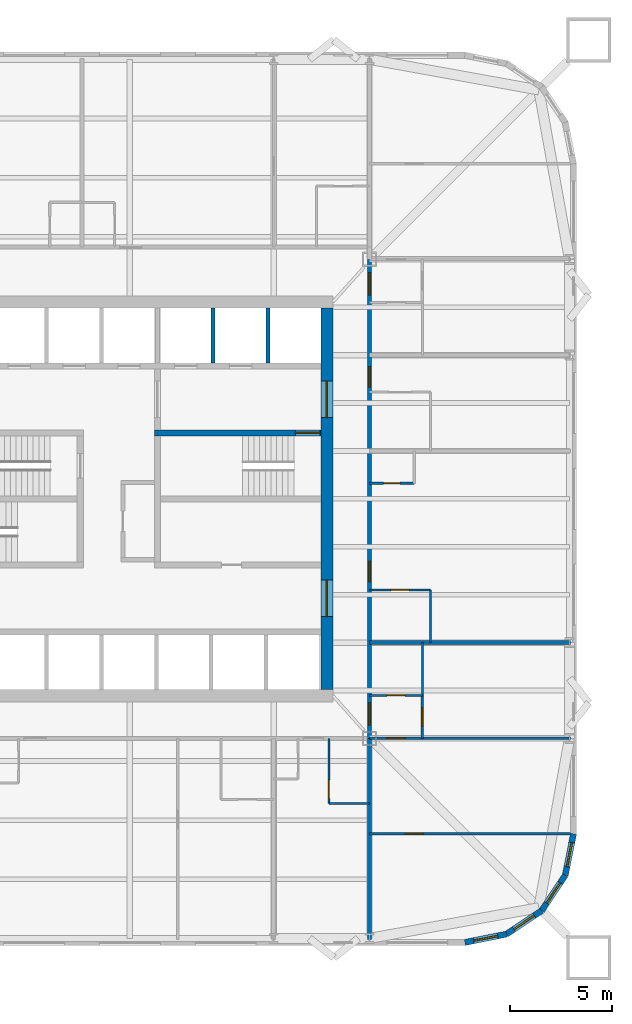
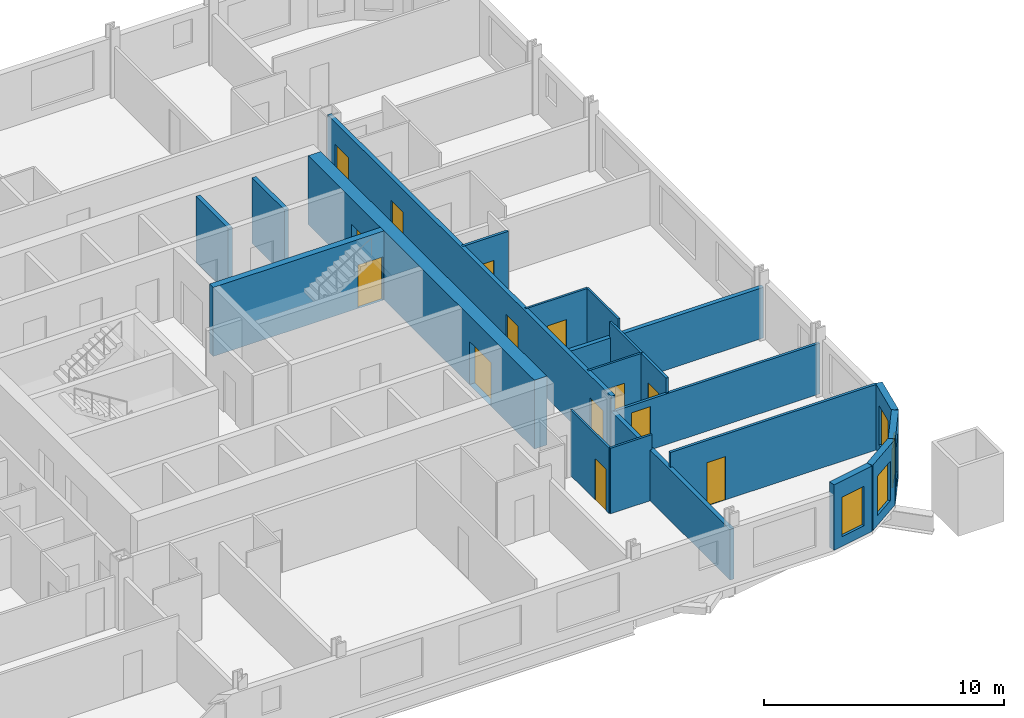
# One storey, part 5 of 9: 21 walls, 14 doors, 4 windows, 18 openings.
"""IFC4 building model written with IfcOpenShell, lengths in metres."""

from ifc_helpers import new_model, si_unit, direction, frame, frame_2d, origin, place, context, subcontext, project, spatial, rectangle, extrude, material, layer, layer_set, type_object, element, fill, save


model = new_model("IFC4")

# Units and contexts
model_context = context("Model", 3, precision=1e-05, world=origin(), true_north=direction((0.0, 1.0)))
body_context = subcontext(model_context, "Body", "Model", "MODEL_VIEW")
ifc_project = project(units=[si_unit("LENGTHUNIT", "METRE"), si_unit("AREAUNIT", "SQUARE_METRE"), si_unit("VOLUMEUNIT", "CUBIC_METRE"), si_unit("PLANEANGLEUNIT", "RADIAN"), si_unit("MASSUNIT", "GRAM", prefix="KILO")], contexts=[model_context])

# Site, building, storey
site_placement = place(None, origin())
site = spatial("IfcSite", under=ifc_project, at=site_placement, CompositionType="ELEMENT")
building_placement = place(site_placement, origin())
building = spatial("IfcBuilding", under=site, at=building_placement, Name="Turquesa Mirador Hotel Tower", CompositionType="ELEMENT")
storey_placement = place(building_placement, frame((0.0, 0.0, 42.5)))
storey = spatial("IfcBuildingStorey", under=building, at=storey_placement, Name="L10", CompositionType="ELEMENT", Elevation=42.5)

# Wall
ifc_material_1 = material(Name="Gypsum board on steel studs", Category="steel")
ifc_layer_1 = layer(ifc_material_1, 0.10009765625)
ifc_layer_set_1 = layer_set([ifc_layer_1], Name="BATHROOM WALL 100")
wall_type_1 = type_object("IfcWallType", Name="BATHROOM WALL 100", PredefinedType="PARTITIONING", material=ifc_layer_set_1)
wall_1_placement = place(storey_placement, frame((64.800048828125, 30.0, 0.0), z_axis=(0.0, 0.0, 1.0), x_axis=(1.0, 0.0, 0.0)))
element("IfcWall", 1, at=wall_1_placement, inside=storey, type_object=wall_type_1, Name="Partition L10 008", PredefinedType="PARTITIONING", context=body_context, shape_type="SweptSolid", body=[
    extrude(rectangle(XDim=2.0, YDim=0.10009765625, at=frame_2d((1.0, 0.0))), origin(), (0.0, 0.0, 1.0), 3.330078125),
])

# Wall, opening, door
wall_2_placement = place(storey_placement, frame((66.800048828125, 40.52001953125, 0.0), z_axis=(0.0, 0.0, 1.0), x_axis=(1.0, 0.0, 0.0)))
wall_2 = element("IfcWall", 2, at=wall_2_placement, inside=storey, type_object=wall_type_1, Name="Partition L10 012", PredefinedType="PARTITIONING", context=body_context, shape_type="SweptSolid", body=[
    extrude(rectangle(XDim=3.0, YDim=0.10009765625, at=frame_2d((1.5, 0.0))), origin(), (0.0, 0.0, 1.0), 3.330078125),
])
opening_1_placement = place(wall_2_placement, frame((1.050048828125, 0.0, 0.0)))
opening_1 = element("IfcOpeningElement", 3, at=opening_1_placement, cuts=wall_2, Name="Opening D02", PredefinedType="OPENING", context=body_context, shape_type="SweptSolid", body=[
    extrude(rectangle(XDim=0.89990234375, YDim=2.10009765625, at=frame_2d((0.449951171875, 1.050048828125))), frame((0.0, 0.06005859375, 0.0), z_axis=(0.0, -1.0, 0.0), x_axis=(1.0, 0.0, 0.0)), (0.0, 0.0, 1.0), 0.1201171875),
])
ifc_material_2 = material(Name="Timber veneered door", Category="wood")
door_type_1 = type_object("IfcDoorType", Name="DOOR 900X2100 EN-SUITE", OperationType="SINGLE_SWING_RIGHT", PredefinedType="DOOR", material=ifc_material_2)
door_1_placement = place(opening_1_placement, origin())
door_1 = element("IfcDoor", 4, at=door_1_placement, inside=storey, type_object=door_type_1, Name="Door 1006B", OperationType="SINGLE_SWING_RIGHT", OverallHeight=2.10009765625, OverallWidth=0.89990234375, PredefinedType="DOOR", context=body_context, shape_type="SweptSolid", body=[
    extrude(rectangle(XDim=0.89990234375, YDim=2.10009765625, at=frame_2d((0.449951171875, 1.050048828125))), frame((0.0, 0.02490234375, 0.0), z_axis=(0.0, -1.0, 0.0), x_axis=(1.0, 0.0, 0.0)), (0.0, 0.0, 1.0), 0.050048828125),
])
fill(opening_1, door_1)

wall_3_placement = place(storey_placement, frame((66.800048828125, 35.320068359375, 0.0), z_axis=(0.0, 0.0, 1.0), x_axis=(1.0, 0.0, 0.0)))
wall_3 = element("IfcWall", 5, at=wall_3_placement, inside=storey, type_object=wall_type_1, Name="Partition L10 017", PredefinedType="PARTITIONING", context=body_context, shape_type="SweptSolid", body=[
    extrude(rectangle(XDim=2.599853515625, YDim=0.10009765625, at=frame_2d((1.2998046875, 0.0))), origin(), (0.0, 0.0, 1.0), 3.330078125),
])
opening_2_placement = place(wall_3_placement, frame((0.85009765625, 0.0, 0.0)))
opening_2 = element("IfcOpeningElement", 6, at=opening_2_placement, cuts=wall_3, Name="Opening D02", PredefinedType="OPENING", context=body_context, shape_type="SweptSolid", body=[
    extrude(rectangle(XDim=0.89990234375, YDim=2.10009765625, at=frame_2d((0.449951171875, 1.050048828125))), frame((0.0, 0.06005859375, 0.0), z_axis=(0.0, -1.0, 0.0), x_axis=(1.0, 0.0, 0.0)), (0.0, 0.0, 1.0), 0.1201171875),
])
door_2_placement = place(opening_2_placement, origin())
door_2 = element("IfcDoor", 7, at=door_2_placement, inside=storey, type_object=door_type_1, Name="Door 1013B", OperationType="SINGLE_SWING_RIGHT", OverallHeight=2.10009765625, OverallWidth=0.89990234375, PredefinedType="DOOR", context=body_context, shape_type="SweptSolid", body=[
    extrude(rectangle(XDim=0.89990234375, YDim=2.10009765625, at=frame_2d((0.449951171875, 1.050048828125))), frame((0.0, 0.02490234375, 0.0), z_axis=(0.0, -1.0, 0.0), x_axis=(1.0, 0.0, 0.0)), (0.0, 0.0, 1.0), 0.050048828125),
])
fill(opening_2, door_2)

# Walls
wall_4_placement = place(storey_placement, frame((69.39990234375, 35.320068359375, 0.0), z_axis=(0.0, 0.0, 1.0), x_axis=(0.0, 1.0, 0.0)))
element("IfcWall", 8, at=wall_4_placement, inside=storey, type_object=wall_type_1, Name="Partition L10 056", PredefinedType="PARTITIONING", context=body_context, shape_type="SweptSolid", body=[
    extrude(rectangle(XDim=2.599853515625, YDim=0.10009765625, at=frame_2d((1.2998046875, 0.0))), origin(), (0.0, 0.0, 1.0), 3.330078125),
])
wall_5_placement = place(storey_placement, frame((69.800048828125, 37.919921875, 0.0), z_axis=(0.0, 0.0, 1.0), x_axis=(0.0, 1.0, 0.0)))
element("IfcWall", 9, at=wall_5_placement, inside=storey, type_object=wall_type_1, Name="Partition L10 060", PredefinedType="PARTITIONING", context=body_context, shape_type="SweptSolid", body=[
    extrude(rectangle(XDim=2.60009765625, YDim=0.10009765625, at=frame_2d((1.300048828125, 0.0))), origin(), (0.0, 0.0, 1.0), 3.330078125),
])

# Wall, opening, door
wall_6_placement = place(storey_placement, frame((64.800048828125, 30.0, 0.0), z_axis=(0.0, 0.0, 1.0), x_axis=(0.0, 1.0, 0.0)))
wall_6 = element("IfcWall", 10, at=wall_6_placement, inside=storey, type_object=wall_type_1, Name="Partition L10 068", PredefinedType="PARTITIONING", context=body_context, shape_type="SweptSolid", body=[
    extrude(rectangle(XDim=3.199951171875, YDim=0.10009765625, at=frame_2d((1.60009765625, 0.0))), origin(), (0.0, 0.0, 1.0), 3.330078125),
])
opening_3_placement = place(wall_6_placement, frame((0.25, 0.0, 0.0)))
opening_3 = element("IfcOpeningElement", 11, at=opening_3_placement, cuts=wall_6, Name="Opening D02", PredefinedType="OPENING", context=body_context, shape_type="SweptSolid", body=[
    extrude(rectangle(XDim=0.89990234375, YDim=2.10009765625, at=frame_2d((0.449951171875, 1.050048828125))), frame((0.0, 0.06005859375, 0.0), z_axis=(0.0, -1.0, 0.0), x_axis=(1.0, 0.0, 0.0)), (0.0, 0.0, 1.0), 0.1201171875),
])
door_3_placement = place(opening_3_placement, origin())
door_3 = element("IfcDoor", 12, at=door_3_placement, inside=storey, type_object=door_type_1, Name="Door 1005B", OperationType="SINGLE_SWING_RIGHT", OverallHeight=2.10009765625, OverallWidth=0.89990234375, PredefinedType="DOOR", context=body_context, shape_type="SweptSolid", body=[
    extrude(rectangle(XDim=0.89990234375, YDim=2.10009765625, at=frame_2d((0.449951171875, 1.050048828125))), frame((0.0, 0.02490234375, 0.0), z_axis=(0.0, -1.0, 0.0), x_axis=(1.0, 0.0, 0.0)), (0.0, 0.0, 1.0), 0.050048828125),
])
fill(opening_3, door_3)

ifc_material_3 = material(Name="Concrete C50/60", Category="concrete")
ifc_layer_2 = layer(ifc_material_3, 0.300048828125)
ifc_layer_set_2 = layer_set([ifc_layer_2], Name="CORE INNER WALL 300")
wall_type_2 = type_object("IfcWallType", Name="CORE INNER WALL 300", PredefinedType="SHEAR", material=ifc_layer_set_2)
wall_7_placement = place(storey_placement, frame((56.199951171875, 48.25, 0.0), z_axis=(0.0, 0.0, 1.0), x_axis=(1.0, 0.0, 0.0)))
wall_7 = element("IfcWall", 13, at=wall_7_placement, inside=storey, type_object=wall_type_2, Name="Core wall MN-E", PredefinedType="SHEAR", context=body_context, shape_type="SweptSolid", body=[
    extrude(rectangle(XDim=8.199951171875, YDim=0.300048828125, at=frame_2d((4.10009765625, 0.0))), origin(), (0.0, 0.0, 1.0), 3.5),
])
opening_4_placement = place(wall_7_placement, frame((6.949951171875, 0.0, 0.0)))
opening_4 = element("IfcOpeningElement", 14, at=opening_4_placement, cuts=wall_7, Name="Opening D03", PredefinedType="OPENING", context=body_context, shape_type="SweptSolid", body=[
    extrude(rectangle(XDim=1.199951171875, YDim=2.199951171875, at=frame_2d((0.60009765625, 1.10009765625))), frame((0.0, 0.159912109375, 0.0), z_axis=(0.0, -1.0, 0.0), x_axis=(1.0, 0.0, 0.0)), (0.0, 0.0, 1.0), 0.320068359375),
])
ifc_material_4 = material(Name="Steel fire door", Category="steel")
door_type_2 = type_object("IfcDoorType", Name="DOOR 1200X2200 STAIR", OperationType="SINGLE_SWING_LEFT", PredefinedType="DOOR", material=ifc_material_4)
door_4_placement = place(opening_4_placement, origin())
door_4 = element("IfcDoor", 15, at=door_4_placement, inside=storey, type_object=door_type_2, Name="Stair ST3 door", OperationType="SINGLE_SWING_LEFT", OverallHeight=2.199951171875, OverallWidth=1.199951171875, PredefinedType="DOOR", context=body_context, shape_type="SweptSolid", body=[
    extrude(rectangle(XDim=1.199951171875, YDim=2.199951171875, at=frame_2d((0.60009765625, 1.10009765625))), frame((0.0, 0.02490234375, 0.0), z_axis=(0.0, -1.0, 0.0), x_axis=(1.0, 0.0, 0.0)), (0.0, 0.0, 1.0), 0.050048828125),
])
fill(opening_4, door_4)

# Wall, openings, doors
ifc_material_5 = material(Name="Concrete C50/60", Category="concrete")
ifc_layer_3 = layer(ifc_material_5, 0.60009765625)
ifc_layer_set_3 = layer_set([ifc_layer_3], Name="CORE WALL 600")
wall_type_3 = type_object("IfcWallType", Name="CORE WALL 600", PredefinedType="SHEAR", material=ifc_layer_set_3)
wall_8_placement = place(storey_placement, frame((64.699951171875, 35.60009765625, 0.0), z_axis=(0.0, 0.0, 1.0), x_axis=(0.0, 1.0, 0.0)))
wall_8 = element("IfcWall", 16, at=wall_8_placement, inside=storey, type_object=wall_type_3, Name="Core wall E", PredefinedType="SHEAR", context=body_context, shape_type="SweptSolid", body=[
    extrude(rectangle(XDim=18.7998046875, YDim=0.60009765625, at=frame_2d((9.39990234375, 0.0))), origin(), (0.0, 0.0, 1.0), 3.5),
])
opening_5_placement = place(wall_8_placement, frame((13.39990234375, 0.0, 0.0)))
opening_5 = element("IfcOpeningElement", 17, at=opening_5_placement, cuts=wall_8, Name="Opening D04", PredefinedType="OPENING", context=body_context, shape_type="SweptSolid", body=[
    extrude(rectangle(XDim=1.800048828125, YDim=2.199951171875, at=frame_2d((0.89990234375, 1.10009765625))), frame((0.0, 0.31005859375, 0.0), z_axis=(0.0, -1.0, 0.0), x_axis=(1.0, 0.0, 0.0)), (0.0, 0.0, 1.0), 0.6201171875),
])
opening_6_placement = place(wall_8_placement, frame((3.60009765625, 0.0, 0.0)))
opening_6 = element("IfcOpeningElement", 18, at=opening_6_placement, cuts=wall_8, Name="Opening D04", PredefinedType="OPENING", context=body_context, shape_type="SweptSolid", body=[
    extrude(rectangle(XDim=1.800048828125, YDim=2.199951171875, at=frame_2d((0.89990234375, 1.10009765625))), frame((0.0, 0.31005859375, 0.0), z_axis=(0.0, -1.0, 0.0), x_axis=(1.0, 0.0, 0.0)), (0.0, 0.0, 1.0), 0.6201171875),
])
ifc_material_6 = material(Name="Steel fire door pair", Category="steel")
door_type_3 = type_object("IfcDoorType", Name="DOOR 1800X2200 PAIR", OperationType="DOUBLE_DOOR_SINGLE_SWING", PredefinedType="DOOR", material=ifc_material_6)
door_5_placement = place(opening_5_placement, origin())
door_5 = element("IfcDoor", 19, at=door_5_placement, inside=storey, type_object=door_type_3, Name="Firefighting lobby door", OperationType="DOUBLE_DOOR_SINGLE_SWING", OverallHeight=2.199951171875, OverallWidth=1.800048828125, PredefinedType="DOOR", context=body_context, shape_type="SweptSolid", body=[
    extrude(rectangle(XDim=1.800048828125, YDim=2.199951171875, at=frame_2d((0.89990234375, 1.10009765625))), frame((0.0, 0.02490234375, 0.0), z_axis=(0.0, -1.0, 0.0), x_axis=(1.0, 0.0, 0.0)), (0.0, 0.0, 1.0), 0.050048828125),
])
fill(opening_5, door_5)
door_6_placement = place(opening_6_placement, origin())
door_6 = element("IfcDoor", 20, at=door_6_placement, inside=storey, type_object=door_type_3, Name="South lift lobby door", OperationType="DOUBLE_DOOR_SINGLE_SWING", OverallHeight=2.199951171875, OverallWidth=1.800048828125, PredefinedType="DOOR", context=body_context, shape_type="SweptSolid", body=[
    extrude(rectangle(XDim=1.800048828125, YDim=2.199951171875, at=frame_2d((0.89990234375, 1.10009765625))), frame((0.0, 0.02490234375, 0.0), z_axis=(0.0, -1.0, 0.0), x_axis=(1.0, 0.0, 0.0)), (0.0, 0.0, 1.0), 0.050048828125),
])
fill(opening_6, door_6)

ifc_material_7 = material(Name="Fire-rated gypsum board on steel studs", Category="steel")
ifc_layer_4 = layer(ifc_material_7, 0.199951171875)
ifc_layer_set_4 = layer_set([ifc_layer_4], Name="CORRIDOR WALL 200")
wall_type_4 = type_object("IfcWallType", Name="CORRIDOR WALL 200", PredefinedType="PARTITIONING", material=ifc_layer_set_4)
wall_9_placement = place(storey_placement, frame((66.800048828125, 33.199951171875, 0.0), z_axis=(0.0, 0.0, 1.0), x_axis=(0.0, 1.0, 0.0)))
wall_9 = element("IfcWall", 21, at=wall_9_placement, inside=storey, type_object=wall_type_4, Name="Partition L10 052", PredefinedType="PARTITIONING", context=body_context, shape_type="SweptSolid", body=[
    extrude(rectangle(XDim=23.580078125, YDim=0.199951171875, at=frame_2d((11.7900390625, 0.0))), origin(), (0.0, 0.0, 1.0), 3.330078125),
])
opening_7_placement = place(wall_9_placement, frame((7.719970703125, 0.0, 0.0)))
opening_7 = element("IfcOpeningElement", 22, at=opening_7_placement, cuts=wall_9, Name="Opening D01", PredefinedType="OPENING", context=body_context, shape_type="SweptSolid", body=[
    extrude(rectangle(XDim=1.0, YDim=2.199951171875, at=frame_2d((0.5, 1.10009765625))), frame((0.0, 0.10986328125, 0.0), z_axis=(0.0, -1.0, 0.0), x_axis=(1.0, 0.0, 0.0)), (0.0, 0.0, 1.0), 0.219970703125),
])
opening_8_placement = place(wall_9_placement, frame((17.31005859375, 0.0, 0.0)))
opening_8 = element("IfcOpeningElement", 23, at=opening_8_placement, cuts=wall_9, Name="Opening D01", PredefinedType="OPENING", context=body_context, shape_type="SweptSolid", body=[
    extrude(rectangle(XDim=1.0, YDim=2.199951171875, at=frame_2d((0.5, 1.10009765625))), frame((0.0, 0.10986328125, 0.0), z_axis=(0.0, -1.0, 0.0), x_axis=(1.0, 0.0, 0.0)), (0.0, 0.0, 1.0), 0.219970703125),
])
opening_9_placement = place(wall_9_placement, frame((21.840087890625, 0.0, 0.0)))
opening_9 = element("IfcOpeningElement", 24, at=opening_9_placement, cuts=wall_9, Name="Opening D15", PredefinedType="OPENING", context=body_context, shape_type="SweptSolid", body=[
    extrude(rectangle(XDim=1.10009765625, YDim=2.199951171875, at=frame_2d((0.550048828125, 1.10009765625))), frame((0.0, 0.10986328125, 0.0), z_axis=(0.0, -1.0, 0.0), x_axis=(1.0, 0.0, 0.0)), (0.0, 0.0, 1.0), 0.219970703125),
])
opening_10_placement = place(wall_9_placement, frame((0.659912109375, 0.0, 0.0)))
opening_10 = element("IfcOpeningElement", 25, at=opening_10_placement, cuts=wall_9, Name="Opening D15", PredefinedType="OPENING", context=body_context, shape_type="SweptSolid", body=[
    extrude(rectangle(XDim=1.10009765625, YDim=2.199951171875, at=frame_2d((0.550048828125, 1.10009765625))), frame((0.0, 0.10986328125, 0.0), z_axis=(0.0, -1.0, 0.0), x_axis=(1.0, 0.0, 0.0)), (0.0, 0.0, 1.0), 0.219970703125),
])
ifc_material_8 = material(Name="Timber veneered fire door", Category="wood")
door_type_4 = type_object("IfcDoorType", Name="DOOR 1000X2200 GUEST ENTRY", OperationType="SINGLE_SWING_LEFT", PredefinedType="DOOR", material=ifc_material_8)
door_7_placement = place(opening_7_placement, origin())
door_7 = element("IfcDoor", 26, at=door_7_placement, inside=storey, type_object=door_type_4, Name="Door 1006", OperationType="SINGLE_SWING_LEFT", OverallHeight=2.199951171875, OverallWidth=1.0, PredefinedType="DOOR", context=body_context, shape_type="SweptSolid", body=[
    extrude(rectangle(XDim=1.0, YDim=2.199951171875, at=frame_2d((0.5, 1.10009765625))), frame((0.0, 0.02490234375, 0.0), z_axis=(0.0, -1.0, 0.0), x_axis=(1.0, 0.0, 0.0)), (0.0, 0.0, 1.0), 0.050048828125),
])
fill(opening_7, door_7)
door_8_placement = place(opening_8_placement, origin())
door_8 = element("IfcDoor", 27, at=door_8_placement, inside=storey, type_object=door_type_4, Name="Door 1007", OperationType="SINGLE_SWING_LEFT", OverallHeight=2.199951171875, OverallWidth=1.0, PredefinedType="DOOR", context=body_context, shape_type="SweptSolid", body=[
    extrude(rectangle(XDim=1.0, YDim=2.199951171875, at=frame_2d((0.5, 1.10009765625))), frame((0.0, 0.02490234375, 0.0), z_axis=(0.0, -1.0, 0.0), x_axis=(1.0, 0.0, 0.0)), (0.0, 0.0, 1.0), 0.050048828125),
])
fill(opening_8, door_8)
ifc_material_9 = material(Name="Timber veneered fire door", Category="wood")
door_type_5 = type_object("IfcDoorType", Name="DOOR 1100X2200 SUITE ENTRY", OperationType="SINGLE_SWING_LEFT", PredefinedType="DOOR", material=ifc_material_9)
door_9_placement = place(opening_9_placement, origin())
door_9 = element("IfcDoor", 28, at=door_9_placement, inside=storey, type_object=door_type_5, Name="Door 1010H", OperationType="SINGLE_SWING_LEFT", OverallHeight=2.199951171875, OverallWidth=1.10009765625, PredefinedType="DOOR", context=body_context, shape_type="SweptSolid", body=[
    extrude(rectangle(XDim=1.10009765625, YDim=2.199951171875, at=frame_2d((0.550048828125, 1.10009765625))), frame((0.0, 0.02490234375, 0.0), z_axis=(0.0, -1.0, 0.0), x_axis=(1.0, 0.0, 0.0)), (0.0, 0.0, 1.0), 0.050048828125),
])
fill(opening_9, door_9)
door_10_placement = place(opening_10_placement, origin())
door_10 = element("IfcDoor", 29, at=door_10_placement, inside=storey, type_object=door_type_5, Name="Door 1013H", OperationType="SINGLE_SWING_LEFT", OverallHeight=2.199951171875, OverallWidth=1.10009765625, PredefinedType="DOOR", context=body_context, shape_type="SweptSolid", body=[
    extrude(rectangle(XDim=1.10009765625, YDim=2.199951171875, at=frame_2d((0.550048828125, 1.10009765625))), frame((0.0, 0.02490234375, 0.0), z_axis=(0.0, -1.0, 0.0), x_axis=(1.0, 0.0, 0.0)), (0.0, 0.0, 1.0), 0.050048828125),
])
fill(opening_10, door_10)

# Wall, opening, window
ifc_material_10 = material(Name="Limestone cladding on concrete block", Category="masonry")
ifc_layer_5 = layer(ifc_material_10, 0.300048828125)
ifc_layer_set_5 = layer_set([ifc_layer_5], Name="FACADE WALL 300 STONE SCREEN")
wall_type_5 = type_object("IfcWallType", Name="FACADE WALL 300 STONE SCREEN", PredefinedType="SOLIDWALL", material=ifc_layer_set_5)
wall_10_placement = place(storey_placement, frame((71.5, 23.14990234375, 0.0), z_axis=(0.0, 0.0, 1.0), x_axis=(0.980787050784, 0.195081421501, 0.0)))
wall_10 = element("IfcWall", 30, at=wall_10_placement, inside=storey, type_object=wall_type_5, Name="Facade wall L10 00", PredefinedType="SOLIDWALL", context=body_context, shape_type="SweptSolid", body=[
    extrude(rectangle(XDim=2.08740234375, YDim=0.300048828125, at=frame_2d((1.043701171875, 0.0))), origin(), (0.0, 0.0, 1.0), 3.330078125),
])
opening_11_placement = place(wall_10_placement, frame((0.443603515625, 0.0, 0.5)))
opening_11 = element("IfcOpeningElement", 31, at=opening_11_placement, cuts=wall_10, Name="Opening WN4", PredefinedType="OPENING", context=body_context, shape_type="SweptSolid", body=[
    extrude(rectangle(XDim=1.199951171875, YDim=2.0, at=frame_2d((0.60009765625, 1.0))), frame((0.0, 0.159912109375, 0.0), z_axis=(0.0, -1.0, 0.0), x_axis=(1.0, 0.0, 0.0)), (0.0, 0.0, 1.0), 0.320068359375),
])
ifc_material_11 = material(Name="Ceramic-fritted laminated glass", Category="glass")
window_type = type_object("IfcWindowType", Name="FRITTED CORNER WINDOW 1200X2000", PartitioningType="DOUBLE_PANEL_HORIZONTAL", PredefinedType="WINDOW", material=ifc_material_11)
window_1_placement = place(opening_11_placement, origin())
window_1 = element("IfcWindow", 32, at=window_1_placement, inside=storey, type_object=window_type, Name="Window L10", OverallHeight=2.0, OverallWidth=1.199951171875, PartitioningType="SINGLE_PANEL", PredefinedType="WINDOW", context=body_context, shape_type="SweptSolid", body=[
    extrude(rectangle(XDim=1.199951171875, YDim=2.0, at=frame_2d((0.60009765625, 1.0))), frame((0.0, 0.030029296875, 0.0), z_axis=(0.0, -1.0, 0.0), x_axis=(1.0, 0.0, 0.0)), (0.0, 0.0, 1.0), 0.06005859375),
])
fill(opening_11, window_1)

wall_11_placement = place(storey_placement, frame((73.54736328125, 23.55712890625, 0.0), z_axis=(0.0, 0.0, 1.0), x_axis=(0.831420010345, 0.555644460423, 0.0)))
wall_11 = element("IfcWall", 33, at=wall_11_placement, inside=storey, type_object=wall_type_5, Name="Facade wall L10 01", PredefinedType="SOLIDWALL", context=body_context, shape_type="SweptSolid", body=[
    extrude(rectangle(XDim=2.08740234375, YDim=0.300048828125, at=frame_2d((1.043701171875, 0.0))), origin(), (0.0, 0.0, 1.0), 3.330078125),
])
opening_12_placement = place(wall_11_placement, frame((0.443603515625, 0.0, 0.5)))
opening_12 = element("IfcOpeningElement", 34, at=opening_12_placement, cuts=wall_11, Name="Opening WN4", PredefinedType="OPENING", context=body_context, shape_type="SweptSolid", body=[
    extrude(rectangle(XDim=1.199951171875, YDim=2.0, at=frame_2d((0.60009765625, 1.0))), frame((0.0, 0.159912109375, 0.0), z_axis=(0.0, -1.0, 0.0), x_axis=(1.0, 0.0, 0.0)), (0.0, 0.0, 1.0), 0.320068359375),
])
window_2_placement = place(opening_12_placement, origin())
window_2 = element("IfcWindow", 35, at=window_2_placement, inside=storey, type_object=window_type, Name="Window L10", OverallHeight=2.0, OverallWidth=1.199951171875, PartitioningType="SINGLE_PANEL", PredefinedType="WINDOW", context=body_context, shape_type="SweptSolid", body=[
    extrude(rectangle(XDim=1.199951171875, YDim=2.0, at=frame_2d((0.60009765625, 1.0))), frame((0.0, 0.030029296875, 0.0), z_axis=(0.0, -1.0, 0.0), x_axis=(1.0, 0.0, 0.0)), (0.0, 0.0, 1.0), 0.06005859375),
])
fill(opening_12, window_2)

wall_12_placement = place(storey_placement, frame((75.282958984375, 24.717041015625, 0.0), z_axis=(0.0, 0.0, 1.0), x_axis=(0.555644460423, 0.831420010345, 0.0)))
wall_12 = element("IfcWall", 36, at=wall_12_placement, inside=storey, type_object=wall_type_5, Name="Facade wall L10 02", PredefinedType="SOLIDWALL", context=body_context, shape_type="SweptSolid", body=[
    extrude(rectangle(XDim=2.08740234375, YDim=0.300048828125, at=frame_2d((1.043701171875, 0.0))), origin(), (0.0, 0.0, 1.0), 3.330078125),
])
opening_13_placement = place(wall_12_placement, frame((0.443603515625, 0.0, 0.5)))
opening_13 = element("IfcOpeningElement", 37, at=opening_13_placement, cuts=wall_12, Name="Opening WN4", PredefinedType="OPENING", context=body_context, shape_type="SweptSolid", body=[
    extrude(rectangle(XDim=1.199951171875, YDim=2.0, at=frame_2d((0.60009765625, 1.0))), frame((0.0, 0.159912109375, 0.0), z_axis=(0.0, -1.0, 0.0), x_axis=(1.0, 0.0, 0.0)), (0.0, 0.0, 1.0), 0.320068359375),
])
window_3_placement = place(opening_13_placement, origin())
window_3 = element("IfcWindow", 38, at=window_3_placement, inside=storey, type_object=window_type, Name="Window L10", OverallHeight=2.0, OverallWidth=1.199951171875, PartitioningType="SINGLE_PANEL", PredefinedType="WINDOW", context=body_context, shape_type="SweptSolid", body=[
    extrude(rectangle(XDim=1.199951171875, YDim=2.0, at=frame_2d((0.60009765625, 1.0))), frame((0.0, 0.030029296875, 0.0), z_axis=(0.0, -1.0, 0.0), x_axis=(1.0, 0.0, 0.0)), (0.0, 0.0, 1.0), 0.06005859375),
])
fill(opening_13, window_3)

wall_13_placement = place(storey_placement, frame((76.44287109375, 26.45263671875, 0.0), z_axis=(0.0, 0.0, 1.0), x_axis=(0.195081421501, 0.980787050784, 0.0)))
wall_13 = element("IfcWall", 39, at=wall_13_placement, inside=storey, type_object=wall_type_5, Name="Facade wall L10 03", PredefinedType="SOLIDWALL", context=body_context, shape_type="SweptSolid", body=[
    extrude(rectangle(XDim=2.08740234375, YDim=0.300048828125, at=frame_2d((1.043701171875, 0.0))), origin(), (0.0, 0.0, 1.0), 3.330078125),
])
opening_14_placement = place(wall_13_placement, frame((0.443603515625, 0.0, 0.5)))
opening_14 = element("IfcOpeningElement", 40, at=opening_14_placement, cuts=wall_13, Name="Opening WN4", PredefinedType="OPENING", context=body_context, shape_type="SweptSolid", body=[
    extrude(rectangle(XDim=1.199951171875, YDim=2.0, at=frame_2d((0.60009765625, 1.0))), frame((0.0, 0.159912109375, 0.0), z_axis=(0.0, -1.0, 0.0), x_axis=(1.0, 0.0, 0.0)), (0.0, 0.0, 1.0), 0.320068359375),
])
window_4_placement = place(opening_14_placement, origin())
window_4 = element("IfcWindow", 41, at=window_4_placement, inside=storey, type_object=window_type, Name="Window L10", OverallHeight=2.0, OverallWidth=1.199951171875, PartitioningType="SINGLE_PANEL", PredefinedType="WINDOW", context=body_context, shape_type="SweptSolid", body=[
    extrude(rectangle(XDim=1.199951171875, YDim=2.0, at=frame_2d((0.60009765625, 1.0))), frame((0.0, 0.030029296875, 0.0), z_axis=(0.0, -1.0, 0.0), x_axis=(1.0, 0.0, 0.0)), (0.0, 0.0, 1.0), 0.06005859375),
])
fill(opening_14, window_4)

# Walls
ifc_material_12 = material(Name="Fire-rated gypsum shaft wall on steel studs", Category="steel")
ifc_layer_6 = layer(ifc_material_12, 0.199951171875)
ifc_layer_set_6 = layer_set([ifc_layer_6], Name="LIFT SHAFT DIVIDER 200")
wall_type_6 = type_object("IfcWallType", Name="LIFT SHAFT DIVIDER 200", PredefinedType="PARTITIONING", material=ifc_layer_set_6)
for number, where, z_axis, x_axis, name in (
    (42, (59.10009765625, 51.699951171875, 0.0), (0.0, 0.0, 1.0), (0.0, 1.0, 0.0), "Lift shaft divider"),
    (43, (61.800048828125, 51.699951171875, 0.0), (0.0, 0.0, 1.0), (0.0, 1.0, 0.0), "Lift shaft divider"),
):
    element("IfcWall", number, at=place(storey_placement, frame(where, z_axis=z_axis, x_axis=x_axis)), inside=storey, type_object=wall_type_6, Name=name, PredefinedType="PARTITIONING", context=body_context, shape_type="SweptSolid", body=[
        extrude(rectangle(XDim=2.699951171875, YDim=0.199951171875, at=frame_2d((1.35009765625, 0.0))), origin(), (0.0, 0.0, 1.0), 3.330078125),
    ])
ifc_material_13 = material(Name="Fire-rated gypsum board on steel studs", Category="steel")
ifc_layer_7 = layer(ifc_material_13, 0.199951171875)
ifc_layer_set_7 = layer_set([ifc_layer_7], Name="PARTY WALL 200")
wall_type_7 = type_object("IfcWallType", Name="PARTY WALL 200", PredefinedType="PARTITIONING", material=ifc_layer_set_7)
for number, where, z_axis, x_axis, name in (
    (44, (66.800048828125, 37.919921875, 0.0), (0.0, 0.0, 1.0), (1.0, 0.0, 0.0), "Partition L10 015"),
    (45, (66.800048828125, 23.300048828125, 0.0), (0.0, 0.0, 1.0), (0.0, 1.0, 0.0), "Partition L10 053"),
):
    element("IfcWall", number, at=place(storey_placement, frame(where, z_axis=z_axis, x_axis=x_axis)), inside=storey, type_object=wall_type_7, Name=name, PredefinedType="PARTITIONING", context=body_context, shape_type="SweptSolid", body=[
        extrude(rectangle(XDim=9.89990234375, YDim=0.199951171875, at=frame_2d((4.949951171875, 0.0))), origin(), (0.0, 0.0, 1.0), 2.572998046875),
    ])

# Wall, opening, door
ifc_material_14 = material(Name="Acoustic gypsum board on steel studs", Category="steel")
ifc_layer_8 = layer(ifc_material_14, 0.125)
ifc_layer_set_8 = layer_set([ifc_layer_8], Name="SUITE PARTITION 125")
wall_type_8 = type_object("IfcWallType", Name="SUITE PARTITION 125", PredefinedType="PARTITIONING", material=ifc_layer_set_8)
wall_14_placement = place(storey_placement, frame((66.800048828125, 33.199951171875, 0.0), z_axis=(0.0, 0.0, 1.0), x_axis=(1.0, 0.0, 0.0)))
wall_14 = element("IfcWall", 46, at=wall_14_placement, inside=storey, type_object=wall_type_8, Name="Partition L10 003", PredefinedType="PARTITIONING", context=body_context, shape_type="SweptSolid", body=[
    extrude(rectangle(XDim=9.89990234375, YDim=0.125, at=frame_2d((4.949951171875, 0.0))), origin(), (0.0, 0.0, 1.0), 2.572998046875),
])
opening_15_placement = place(wall_14_placement, frame((0.85009765625, 0.0, 0.0)))
opening_15 = element("IfcOpeningElement", 47, at=opening_15_placement, cuts=wall_14, Name="Opening D17", PredefinedType="OPENING", context=body_context, shape_type="SweptSolid", body=[
    extrude(rectangle(XDim=0.89990234375, YDim=2.199951171875, at=frame_2d((0.449951171875, 1.10009765625))), frame((0.0, 0.072509765625, 0.0), z_axis=(0.0, -1.0, 0.0), x_axis=(1.0, 0.0, 0.0)), (0.0, 0.0, 1.0), 0.14501953125),
])
ifc_material_15 = material(Name="Timber veneered door", Category="wood")
door_type_6 = type_object("IfcDoorType", Name="DOOR 900X2200 SUITE INTERNAL", OperationType="SINGLE_SWING_LEFT", PredefinedType="DOOR", material=ifc_material_15)
door_11_placement = place(opening_15_placement, origin())
door_11 = element("IfcDoor", 48, at=door_11_placement, inside=storey, type_object=door_type_6, Name="Door 1013", OperationType="SINGLE_SWING_LEFT", OverallHeight=2.199951171875, OverallWidth=0.89990234375, PredefinedType="DOOR", context=body_context, shape_type="SweptSolid", body=[
    extrude(rectangle(XDim=0.89990234375, YDim=2.199951171875, at=frame_2d((0.449951171875, 1.10009765625))), frame((0.0, 0.02490234375, 0.0), z_axis=(0.0, -1.0, 0.0), x_axis=(1.0, 0.0, 0.0)), (0.0, 0.0, 1.0), 0.050048828125),
])
fill(opening_15, door_11)

wall_15_placement = place(storey_placement, frame((66.800048828125, 28.5, 0.0), z_axis=(0.0, 0.0, 1.0), x_axis=(1.0, 0.0, 0.0)))
wall_15 = element("IfcWall", 49, at=wall_15_placement, inside=storey, type_object=wall_type_8, Name="Partition L10 010", PredefinedType="PARTITIONING", context=body_context, shape_type="SweptSolid", body=[
    extrude(rectangle(XDim=9.89404296875, YDim=0.125, at=frame_2d((4.947021484375, 0.0))), origin(), (0.0, 0.0, 1.0), 3.330078125),
])
opening_16_placement = place(wall_15_placement, frame((1.75, 0.0, 0.0)))
opening_16 = element("IfcOpeningElement", 50, at=opening_16_placement, cuts=wall_15, Name="Opening D17", PredefinedType="OPENING", context=body_context, shape_type="SweptSolid", body=[
    extrude(rectangle(XDim=0.89990234375, YDim=2.199951171875, at=frame_2d((0.449951171875, 1.10009765625))), frame((0.0, 0.072509765625, 0.0), z_axis=(0.0, -1.0, 0.0), x_axis=(1.0, 0.0, 0.0)), (0.0, 0.0, 1.0), 0.14501953125),
])
door_12_placement = place(opening_16_placement, origin())
door_12 = element("IfcDoor", 51, at=door_12_placement, inside=storey, type_object=door_type_6, Name="Door 1013M", OperationType="SINGLE_SWING_LEFT", OverallHeight=2.199951171875, OverallWidth=0.89990234375, PredefinedType="DOOR", context=body_context, shape_type="SweptSolid", body=[
    extrude(rectangle(XDim=0.89990234375, YDim=2.199951171875, at=frame_2d((0.449951171875, 1.10009765625))), frame((0.0, 0.02490234375, 0.0), z_axis=(0.0, -1.0, 0.0), x_axis=(1.0, 0.0, 0.0)), (0.0, 0.0, 1.0), 0.050048828125),
])
fill(opening_16, door_12)

wall_16_placement = place(storey_placement, frame((66.800048828125, 45.760009765625, 0.0), z_axis=(0.0, 0.0, 1.0), x_axis=(1.0, 0.0, 0.0)))
wall_16 = element("IfcWall", 52, at=wall_16_placement, inside=storey, type_object=wall_type_8, Name="Partition L10 019", PredefinedType="PARTITIONING", context=body_context, shape_type="SweptSolid", body=[
    extrude(rectangle(XDim=2.199951171875, YDim=0.125, at=frame_2d((1.10009765625, 0.0))), origin(), (0.0, 0.0, 1.0), 3.330078125),
])
opening_17_placement = place(wall_16_placement, frame((0.699951171875, 0.0, 0.0)))
opening_17 = element("IfcOpeningElement", 53, at=opening_17_placement, cuts=wall_16, Name="Opening D20", PredefinedType="OPENING", context=body_context, shape_type="SweptSolid", body=[
    extrude(rectangle(XDim=0.800048828125, YDim=2.10009765625, at=frame_2d((0.39990234375, 1.050048828125))), frame((0.0, 0.072509765625, 0.0), z_axis=(0.0, -1.0, 0.0), x_axis=(1.0, 0.0, 0.0)), (0.0, 0.0, 1.0), 0.14501953125),
])
ifc_material_16 = material(Name="Timber veneered sliding door", Category="wood")
door_type_7 = type_object("IfcDoorType", Name="DOOR 800X2100 WARDROBE", OperationType="SLIDING_TO_LEFT", PredefinedType="DOOR", material=ifc_material_16)
door_13_placement = place(opening_17_placement, origin())
door_13 = element("IfcDoor", 54, at=door_13_placement, inside=storey, type_object=door_type_7, Name="Door 1006W", OperationType="SLIDING_TO_LEFT", OverallHeight=2.10009765625, OverallWidth=0.800048828125, PredefinedType="DOOR", context=body_context, shape_type="SweptSolid", body=[
    extrude(rectangle(XDim=0.800048828125, YDim=2.10009765625, at=frame_2d((0.39990234375, 1.050048828125))), frame((0.0, 0.02490234375, 0.0), z_axis=(0.0, -1.0, 0.0), x_axis=(1.0, 0.0, 0.0)), (0.0, 0.0, 1.0), 0.050048828125),
])
fill(opening_17, door_13)

wall_17_placement = place(storey_placement, frame((69.39990234375, 33.199951171875, 0.0), z_axis=(0.0, 0.0, 1.0), x_axis=(0.0, 1.0, 0.0)))
wall_17 = element("IfcWall", 55, at=wall_17_placement, inside=storey, type_object=wall_type_8, Name="Partition L10 058", PredefinedType="PARTITIONING", context=body_context, shape_type="SweptSolid", body=[
    extrude(rectangle(XDim=2.1201171875, YDim=0.125, at=frame_2d((1.06005859375, 0.0))), origin(), (0.0, 0.0, 1.0), 3.330078125),
])
opening_18_placement = place(wall_17_placement, frame((0.610107421875, 0.0, 0.0)))
opening_18 = element("IfcOpeningElement", 56, at=opening_18_placement, cuts=wall_17, Name="Opening D17", PredefinedType="OPENING", context=body_context, shape_type="SweptSolid", body=[
    extrude(rectangle(XDim=0.89990234375, YDim=2.199951171875, at=frame_2d((0.449951171875, 1.10009765625))), frame((0.0, 0.072509765625, 0.0), z_axis=(0.0, -1.0, 0.0), x_axis=(1.0, 0.0, 0.0)), (0.0, 0.0, 1.0), 0.14501953125),
])
door_14_placement = place(opening_18_placement, origin())
door_14 = element("IfcDoor", 57, at=door_14_placement, inside=storey, type_object=door_type_6, Name="Door 1013R", OperationType="SINGLE_SWING_LEFT", OverallHeight=2.199951171875, OverallWidth=0.89990234375, PredefinedType="DOOR", context=body_context, shape_type="SweptSolid", body=[
    extrude(rectangle(XDim=0.89990234375, YDim=2.199951171875, at=frame_2d((0.449951171875, 1.10009765625))), frame((0.0, 0.02490234375, 0.0), z_axis=(0.0, -1.0, 0.0), x_axis=(1.0, 0.0, 0.0)), (0.0, 0.0, 1.0), 0.050048828125),
])
fill(opening_18, door_14)

save(model, "model.ifc")
